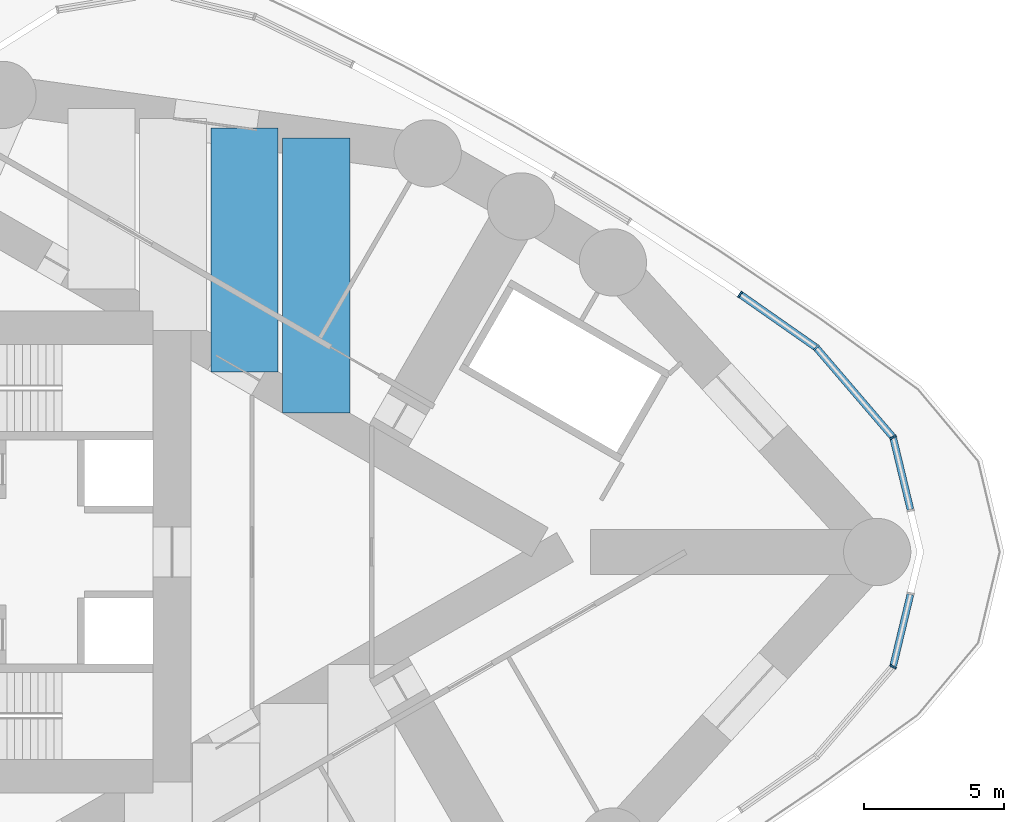
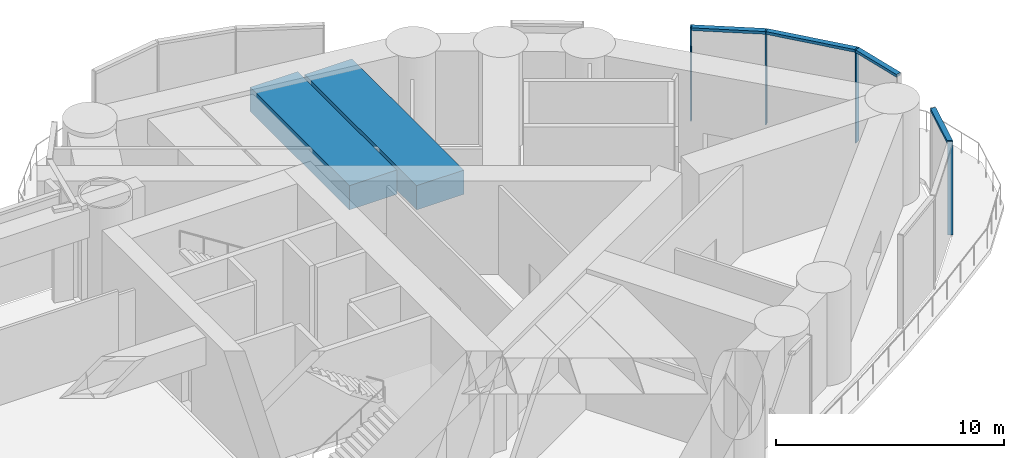
# One storey, part 10 of 22: 8 members, 2 beams, 2 elements without a shape of their own.
"""IFC4 building model written with IfcOpenShell, lengths in metres."""

import ifcopenshell
import ifcopenshell.guid

model = None  # the IFC model being written
_history = None  # IfcOwnerHistory: only IFC2X3 demands one
_inside = {}  # id of a spatial element -> (the spatial element, [elements in it])
_under = {}  # id of a project, library or spatial element -> (it, [spatial elements below it])
_declared = {}  # id of a project -> (the project, [libraries it declares])
_typed = {}  # id of a type object -> (the type object, [elements of that type])
_made_of = {}  # id of a material, layer set ... -> (it, [elements and type objects made of it])


def new_model(schema):
    """Start an empty IFC model of exactly this schema.

    Asked for "IFC4X3", IfcOpenShell would pick the latest addendum, in which some entities
    have other attributes; the version numbers below select the first issue.
    IFC2X3 requires an IfcOwnerHistory on every rooted entity: one is made here for all.
    """
    global model, _history
    if schema == "IFC4X3":
        model = ifcopenshell.file(schema_version=(4, 3, 0, 0))
    else:
        model = ifcopenshell.file(schema=schema)
    _inside.clear()
    _under.clear()
    _declared.clear()
    _typed.clear()
    _made_of.clear()
    _history = None
    if model.schema == "IFC2X3":
        org = make("IfcOrganization", Name="unknown")
        user = make(
            "IfcPersonAndOrganization",
            ThePerson=make("IfcPerson", FamilyName="unknown"),
            TheOrganization=org,
        )
        app = make(
            "IfcApplication",
            ApplicationDeveloper=org,
            Version="unknown",
            ApplicationFullName="unknown",
            ApplicationIdentifier="unknown",
        )
        _history = make(
            "IfcOwnerHistory",
            OwningUser=user,
            OwningApplication=app,
            ChangeAction="ADDED",
            CreationDate=0,
        )
    return model


def make(cls, **values):
    """One entity of the class cls with the attributes given. An attribute that is None is left unset."""
    return model.create_entity(
        cls, **{name: value for name, value in values.items() if value is not None}
    )


def rooted(cls, **values):
    """An entity with a GlobalId (a new one), such as an element, a storey or a relation."""
    return make(cls, GlobalId=ifcopenshell.guid.new(), OwnerHistory=_history, **values)


def si_unit(unit_type, name, prefix=None):
    """IfcSIUnit, for example si_unit("LENGTHUNIT", "METRE", prefix="MILLI")."""
    return make("IfcSIUnit", UnitType=unit_type, Prefix=prefix, Name=name)


def assignment(units):
    """IfcUnitAssignment: the units of a project."""
    return None if units is None else make("IfcUnitAssignment", Units=units)


def point(xyz):
    """IfcCartesianPoint."""
    return None if xyz is None else make("IfcCartesianPoint", Coordinates=xyz)


def direction(xyz):
    """IfcDirection."""
    return None if xyz is None else make("IfcDirection", DirectionRatios=xyz)


def frame(location, z_axis=None, x_axis=None):
    """IfcAxis2Placement3D, a coordinate frame: its origin and axes. An axis left out is left unset."""
    return make(
        "IfcAxis2Placement3D",
        Location=point(location),
        Axis=direction(z_axis),
        RefDirection=direction(x_axis),
    )


def frame_2d(location, x_axis=None):
    """IfcAxis2Placement2D, a coordinate frame in the plane: its origin and x axis."""
    return make(
        "IfcAxis2Placement2D", Location=point(location), RefDirection=direction(x_axis)
    )


def origin():
    """The frame at (0, 0, 0) with its axes left unset."""
    return frame((0.0, 0.0, 0.0))


def origin_2d():
    """The frame at (0, 0) in the plane with its x axis left unset."""
    return frame_2d((0.0, 0.0))


def place(relative_to, where):
    """IfcLocalPlacement: puts the frame where relative to a parent placement (None: the world)."""
    return make(
        "IfcLocalPlacement", PlacementRelTo=relative_to, RelativePlacement=where
    )


def context(
    kind, dimensions, precision=None, world=None, true_north=None, identifier=None
):
    """IfcGeometricRepresentationContext, for example the 3D "Model" context."""
    return make(
        "IfcGeometricRepresentationContext",
        ContextIdentifier=identifier,
        ContextType=kind,
        CoordinateSpaceDimension=dimensions,
        Precision=precision,
        WorldCoordinateSystem=world,
        TrueNorth=true_north,
    )


def subcontext(parent, identifier, kind, view, scale=None):
    """IfcGeometricRepresentationSubContext, for example "Body" below "Model"."""
    return make(
        "IfcGeometricRepresentationSubContext",
        ContextIdentifier=identifier,
        ContextType=kind,
        ParentContext=parent,
        TargetScale=scale,
        TargetView=view,
    )


def project(units=None, contexts=None):
    """IfcProject with its units and contexts."""
    return rooted(
        "IfcProject",
        Name="project",
        RepresentationContexts=contexts,
        UnitsInContext=assignment(units),
    )


def spatial(cls, under=None, at=None, **own):
    """A site, building, storey or space (cls), placed at a placement, below another one or the project."""
    s = rooted(cls, ObjectPlacement=at, **own)
    if under is not None:
        _under.setdefault(under.id(), (under, []))[1].append(s)
    return s


def profile(cls, at=None, kind="AREA", **sizes):
    """A parametric profile (cls). Its sizes go by their IFC names, for example OverallWidth=200.0."""
    return make(cls, ProfileType=kind, Position=at, **sizes)


def rectangle(**sizes):
    """IfcRectangleProfileDef."""
    return profile("IfcRectangleProfileDef", **sizes)


def extrude(swept, where, along, depth):
    """IfcExtrudedAreaSolid: the profile swept, set in the frame where, extruded along a direction by depth."""
    return make(
        "IfcExtrudedAreaSolid",
        SweptArea=swept,
        Position=where,
        ExtrudedDirection=direction(along),
        Depth=depth,
    )


def shape(context_of_items, identifier, shape_type, items):
    """IfcShapeRepresentation: the items that make up one representation, for example the "Body"."""
    return make(
        "IfcShapeRepresentation",
        ContextOfItems=context_of_items,
        RepresentationIdentifier=identifier,
        RepresentationType=shape_type,
        Items=items,
    )


def material(Name=None, Category=None):
    """IfcMaterial."""
    return make("IfcMaterial", Name=Name, Category=Category)


def material_profile(
    of_material, cross_section, Name=None, Category=None, Priority=None
):
    """IfcMaterialProfile: a cross section and its material."""
    return make(
        "IfcMaterialProfile",
        Name=Name,
        Material=of_material,
        Profile=cross_section,
        Priority=Priority,
        Category=Category,
    )


def profile_set(profiles, Name=None, composite=None):
    """IfcMaterialProfileSet."""
    return make(
        "IfcMaterialProfileSet",
        Name=Name,
        MaterialProfiles=profiles,
        CompositeProfile=composite,
    )


def made_of(thing, what):
    """Note that an element or type object is made of a material, layer set ...; save() writes the relation."""
    if what is not None:
        _made_of.setdefault(what.id(), (what, []))[1].append(thing)
    return thing


def type_object(cls, material=None, **own):
    """A type object (cls), such as IfcWallType, which elements share."""
    return made_of(rooted(cls, **own), material)


def element(
    cls,
    number,
    at=None,
    inside=None,
    cuts=None,
    type_object=None,
    material=None,
    context=None,
    identifier="Body",
    shape_type=None,
    held_by="IfcProductDefinitionShape",
    body=None,
    shapes=None,
    **own,
):
    """One element of the class cls, such as IfcWall. Its Tag is "e" and its number.

    at: its placement. inside: the storey or other place that contains it. cuts: it is an
    opening in that element (IfcRelVoidsElement). A single representation is given by context,
    identifier, shape_type and body (its items); several are given by shapes. held_by: the class
    of the entity that holds the representations. save() writes the other relations.
    """
    e = rooted(cls, Tag="e%d" % number, ObjectPlacement=at, **own)
    if body is not None:
        shapes = [shape(context, identifier, shape_type, body)]
    if shapes is not None:
        e.Representation = make(held_by, Representations=shapes)
    if inside is not None:
        _inside.setdefault(inside.id(), (inside, []))[1].append(e)
    if cuts is not None:
        rooted(
            "IfcRelVoidsElement", RelatingBuildingElement=cuts, RelatedOpeningElement=e
        )
    if type_object is not None:
        _typed.setdefault(type_object.id(), (type_object, []))[1].append(e)
    return made_of(e, material)


def aggregate(whole, parts):
    """IfcRelAggregates: a whole, such as a stair, and the parts it consists of."""
    return rooted("IfcRelAggregates", RelatingObject=whole, RelatedObjects=parts)


def save(model, path):
    """Write the relations noted so far, then the file.

    IfcRelAggregates (storeys below a building ...), IfcRelContainedInSpatialStructure (elements
    in a storey), IfcRelDefinesByType, IfcRelAssociatesMaterial and IfcRelDeclares: one each for
    every whole, place, type object, material and project.
    """
    for whole, parts in _under.values():
        aggregate(whole, parts)
    for where, things in _inside.values():
        rooted(
            "IfcRelContainedInSpatialStructure",
            RelatedElements=things,
            RelatingStructure=where,
        )
    for kind, things in _typed.values():
        rooted("IfcRelDefinesByType", RelatedObjects=things, RelatingType=kind)
    for what, things in _made_of.values():
        rooted("IfcRelAssociatesMaterial", RelatedObjects=things, RelatingMaterial=what)
    for by, libraries in _declared.values():
        rooted("IfcRelDeclares", RelatingContext=by, RelatedDefinitions=libraries)
    model.write(path)


model = new_model("IFC4")

# Units and contexts
model_context = context("Model", 3, precision=1e-05, world=origin(), true_north=direction((0.0, 1.0)))
body_context = subcontext(model_context, "Body", "Model", "MODEL_VIEW")
ifc_project = project(units=[si_unit("LENGTHUNIT", "METRE"), si_unit("AREAUNIT", "SQUARE_METRE"), si_unit("VOLUMEUNIT", "CUBIC_METRE"), si_unit("PLANEANGLEUNIT", "RADIAN"), si_unit("MASSUNIT", "GRAM", prefix="KILO")], contexts=[model_context])

# Site, building, storey
site_placement = place(None, origin())
site = spatial("IfcSite", under=ifc_project, at=site_placement, CompositionType="ELEMENT")
building_placement = place(site_placement, origin())
building = spatial("IfcBuilding", under=site, at=building_placement, Name="Lancet Gate Hotel", CompositionType="ELEMENT")
storey_placement = place(building_placement, frame((0.0, 0.0, 210.300048828125)))
storey = spatial("IfcBuildingStorey", under=building, at=storey_placement, Name="L56", CompositionType="ELEMENT", Elevation=210.300048828125)

# Curtain wall, member
ifc_material_1 = material(Name="Aluminium curtain wall", Category="aluminium")
curtain_wall_type = type_object("IfcCurtainWallType", Name="Refuge storey louvred curtain wall", PredefinedType="USERDEFINED", material=ifc_material_1)
curtain_wall_1_placement = place(storey_placement, origin())
curtain_wall_1 = element("IfcCurtainWall", 1, at=curtain_wall_1_placement, inside=storey, type_object=curtain_wall_type, Name="T2 L56 curtain wall 4", ObjectType="LANTERN GLAZING", PredefinedType="USERDEFINED")
ifc_material_2 = material(Name="Aluminium mullion", Category="aluminium")
ifc_material_profile_1 = material_profile(ifc_material_2, rectangle(XDim=0.06494140625, YDim=0.25, at=origin_2d()), Name="MULLION 65x250")
ifc_profile_set_1 = profile_set([ifc_material_profile_1], Name="Aluminium mullion")
member_type_1 = type_object("IfcMemberType", Name="Aluminium mullion 65x250", PredefinedType="MULLION", material=ifc_profile_set_1)
member_1_placement = place(storey_placement, frame((63.1064453125, -4.09375, 0.0), z_axis=(0.0, 0.0, 1.0), x_axis=(0.501456096841, 0.865183092149, 0.0)))
member_1 = element("IfcMember", 2, at=member_1_placement, type_object=member_type_1, Name="T2 L56 curtain wall 4 mullion 3", PredefinedType="MULLION", context=body_context, shape_type="SweptSolid", body=[
    extrude(rectangle(XDim=0.06494140625, YDim=0.25, at=origin_2d()), origin(), (0.0, 0.0, 1.0), 5.0),
])

# Curtain wall, members
curtain_wall_2_placement = place(storey_placement, origin())
curtain_wall_2 = element("IfcCurtainWall", 3, at=curtain_wall_2_placement, inside=storey, type_object=curtain_wall_type, Name="T2 L56 curtain wall 5", ObjectType="LANTERN GLAZING", PredefinedType="USERDEFINED")
member_2_placement = place(storey_placement, frame((63.1064453125, 4.09375, 0.0), z_axis=(0.0, 0.0, 1.0), x_axis=(-0.501456096841, 0.865183092149, 0.0)))
member_2 = element("IfcMember", 4, at=member_2_placement, type_object=member_type_1, Name="T2 L56 curtain wall 5 mullion 2", PredefinedType="MULLION", context=body_context, shape_type="SweptSolid", body=[
    extrude(rectangle(XDim=0.06494140625, YDim=0.25, at=origin_2d()), origin(), (0.0, 0.0, 1.0), 5.0),
])
member_3_placement = place(storey_placement, frame((60.367431640625, 7.291259765625, 0.0), z_axis=(0.0, 0.0, 1.0), x_axis=(-0.730573479209, 0.682834087811, 0.0)))
member_3 = element("IfcMember", 5, at=member_3_placement, type_object=member_type_1, Name="T2 L56 curtain wall 5 mullion 3", PredefinedType="MULLION", context=body_context, shape_type="SweptSolid", body=[
    extrude(rectangle(XDim=0.06494140625, YDim=0.25, at=origin_2d()), origin(), (0.0, 0.0, 1.0), 5.0),
])
member_4_placement = place(storey_placement, frame((57.651123046875, 9.192626953125, 0.0), z_axis=(0.0, 0.0, 1.0), x_axis=(-0.819255034386, 0.573429323137, 0.0)))
member_4 = element("IfcMember", 6, at=member_4_placement, type_object=member_type_1, Name="T2 L56 curtain wall 5 mullion 4", PredefinedType="MULLION", context=body_context, shape_type="SweptSolid", body=[
    extrude(rectangle(XDim=0.06494140625, YDim=0.25, at=origin_2d()), origin(), (0.0, 0.0, 1.0), 5.0),
])

# Member
ifc_material_3 = material(Name="Aluminium transom", Category="aluminium")
ifc_material_profile_2 = material_profile(ifc_material_3, rectangle(XDim=0.25, YDim=0.14990234375, at=origin_2d()), Name="TRANSOM 250x150")
ifc_profile_set_2 = profile_set([ifc_material_profile_2], Name="Aluminium transom")
member_type_2 = type_object("IfcMemberType", Name="Aluminium transom 250x150", PredefinedType="USERDEFINED", material=ifc_profile_set_2)
member_5_placement = place(storey_placement, frame((63.114013671875, -4.06201171875, 4.925048828125), z_axis=(0.233960948497, 0.972245994889, 0.0), x_axis=(-0.972245994889, 0.233960948497, 0.0)))
member_5 = element("IfcMember", 7, at=member_5_placement, type_object=member_type_2, Name="T2 L56 curtain wall 4 transom 3", ObjectType="TRANSOM", PredefinedType="USERDEFINED", context=body_context, shape_type="SweptSolid", body=[
    extrude(rectangle(XDim=0.25, YDim=0.14990234375, at=origin_2d()), origin(), (0.0, 0.0, 1.0), 2.622314453125),
])

aggregate(curtain_wall_1, [member_1, member_5])

member_6_placement = place(storey_placement, frame((63.7275390625, 1.512451171875, 4.925048828125), z_axis=(-0.233960948497, 0.972245994889, 0.0), x_axis=(-0.972245994889, -0.233960948497, 0.0)))
member_6 = element("IfcMember", 8, at=member_6_placement, type_object=member_type_2, Name="T2 L56 curtain wall 5 transom 1", ObjectType="TRANSOM", PredefinedType="USERDEFINED", context=body_context, shape_type="SweptSolid", body=[
    extrude(rectangle(XDim=0.25, YDim=0.14990234375, at=origin_2d()), origin(), (0.0, 0.0, 1.0), 2.622314453125),
])

member_7_placement = place(storey_placement, frame((63.08544921875, 4.118408203125, 4.925048828125), z_axis=(-0.650592500186, 0.759427019997, 0.0), x_axis=(-0.759427019997, -0.650592500186, 0.0)))
member_7 = element("IfcMember", 9, at=member_7_placement, type_object=member_type_2, Name="T2 L56 curtain wall 5 transom 2", ObjectType="TRANSOM", PredefinedType="USERDEFINED", context=body_context, shape_type="SweptSolid", body=[
    extrude(rectangle(XDim=0.25, YDim=0.14990234375, at=origin_2d()), origin(), (0.0, 0.0, 1.0), 4.1455078125),
])

member_8_placement = place(storey_placement, frame((60.3408203125, 7.31005859375, 4.925048828125), z_axis=(-0.819253090698, 0.573432100062, 0.0), x_axis=(-0.573432100062, -0.819253090698, 0.0)))
member_8 = element("IfcMember", 10, at=member_8_placement, type_object=member_type_2, Name="T2 L56 curtain wall 5 transom 3", ObjectType="TRANSOM", PredefinedType="USERDEFINED", context=body_context, shape_type="SweptSolid", body=[
    extrude(rectangle(XDim=0.25, YDim=0.14990234375, at=origin_2d()), origin(), (0.0, 0.0, 1.0), 3.250732421875),
])

aggregate(curtain_wall_2, [member_2, member_3, member_4, member_6, member_7, member_8])

# Beams
ifc_material_4 = material(Name="Concrete C50/60", Category="concrete")
ifc_material_profile_3 = material_profile(ifc_material_4, rectangle(XDim=2.39990234375, YDim=1.300048828125, at=origin_2d()), Name="RC 2400x1300")
ifc_profile_set_3 = profile_set([ifc_material_profile_3], Name="Concrete C50/60")
beam_type = type_object("IfcBeamType", Name="Floor beam RC 2400x1300", PredefinedType="BEAM", material=ifc_profile_set_3)
beam_1_placement = place(storey_placement, frame((39.9658203125, 6.429443359375, 4.099853515625), z_axis=(0.0, 1.0, 0.0), x_axis=(-1.0, 0.0, 0.0)))
element("IfcBeam", 11, at=beam_1_placement, inside=storey, type_object=beam_type, Name="T2 floor beam F06N L56", PredefinedType="BEAM", context=body_context, shape_type="SweptSolid", body=[
    extrude(rectangle(XDim=2.39990234375, YDim=1.300048828125, at=origin_2d()), origin(), (0.0, 0.0, 1.0), 8.694091796875),
])
beam_2_placement = place(storey_placement, frame((42.51904296875, 4.95556640625, 4.099853515625), z_axis=(0.0, 1.0, 0.0), x_axis=(-1.0, 0.0, 0.0)))
element("IfcBeam", 12, at=beam_2_placement, inside=storey, type_object=beam_type, Name="T2 floor beam F08N L56", PredefinedType="BEAM", context=body_context, shape_type="SweptSolid", body=[
    extrude(rectangle(XDim=2.39990234375, YDim=1.300048828125, at=origin_2d()), origin(), (0.0, 0.0, 1.0), 9.817138671875),
])

save(model, "model.ifc")
